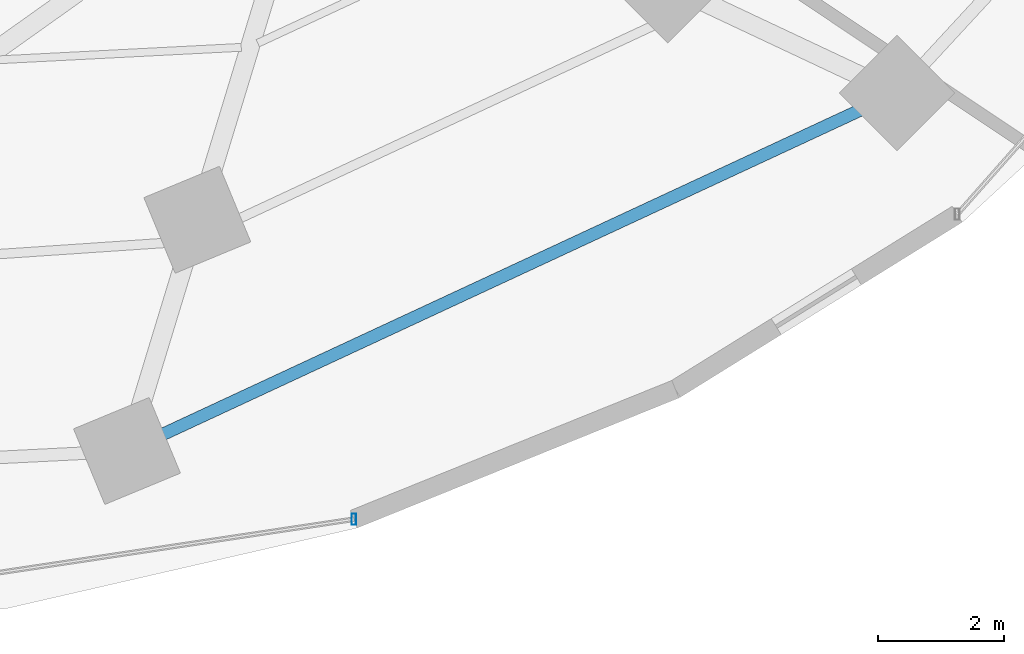
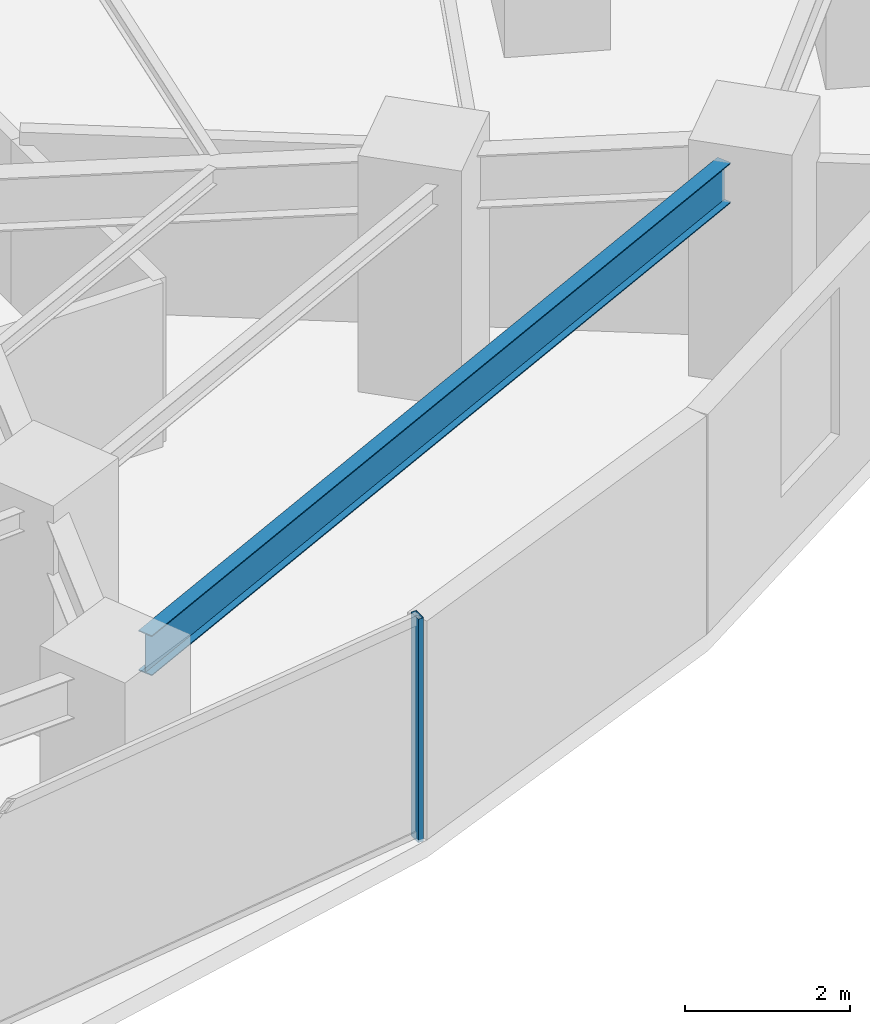
# One storey, part 11 of 33: 1 beam, 1 member, 1 element without a shape of its own.
"""IFC4 building model written with IfcOpenShell, lengths in metres."""

from ifc_helpers import new_model, si_unit, direction, frame, origin, origin_2d, place, context, subcontext, project, spatial, hollow_rectangle, i_section, extrude, material, material_profile, profile_set, type_object, element, aggregate, save


model = new_model("IFC4")

# Units and contexts
model_context = context("Model", 3, precision=1e-05, world=origin(), true_north=direction((0.0, 1.0)))
body_context = subcontext(model_context, "Body", "Model", "MODEL_VIEW")
ifc_project = project(units=[si_unit("LENGTHUNIT", "METRE"), si_unit("AREAUNIT", "SQUARE_METRE"), si_unit("VOLUMEUNIT", "CUBIC_METRE"), si_unit("PLANEANGLEUNIT", "RADIAN"), si_unit("MASSUNIT", "GRAM", prefix="KILO")], contexts=[model_context])

# Site, building, storey
site_placement = place(None, origin())
site = spatial("IfcSite", under=ifc_project, at=site_placement, CompositionType="ELEMENT")
building_placement = place(site_placement, origin())
building = spatial("IfcBuilding", under=site, at=building_placement, Name="Vorneva Point Tower", CompositionType="ELEMENT")
storey_placement = place(building_placement, frame((0.0, 0.0, 34.5)))
storey = spatial("IfcBuildingStorey", under=building, at=storey_placement, Name="L08", CompositionType="ELEMENT", Elevation=34.5)

# Beam
ifc_material_1 = material(Name="Steel S355", Category="steel")
ifc_material_profile_1 = material_profile(ifc_material_1, i_section(OverallWidth=0.198974609375, OverallDepth=0.595947265625, WebThickness=0.010009765625, FlangeThickness=0.014892578125, at=origin_2d()), Name="60B1")
ifc_profile_set_1 = profile_set([ifc_material_profile_1], Name="Steel S355")
beam_type = type_object("IfcBeamType", Name="BM-SPN-60B1", PredefinedType="SPANDREL", material=ifc_profile_set_1)
beam_placement = place(storey_placement, frame((46.27880859375, 6.702880859375, 2.94189453125), z_axis=(0.906776698196, 0.421611218551, 0.0), x_axis=(-0.421611218551, 0.906776698196, 0.0)))
element("IfcBeam", 1, at=beam_placement, inside=storey, type_object=beam_type, Name="L08 Perimeter Spandrel Ring Beam 14", PredefinedType="SPANDREL", context=body_context, shape_type="SweptSolid", body=[
    extrude(i_section(OverallWidth=0.198974609375, OverallDepth=0.595947265625, WebThickness=0.010009765625, FlangeThickness=0.014892578125, at=origin_2d()), origin(), (0.0, 0.0, 1.0), 12.223388671875),
])

# Curtain wall, member
ifc_material_2 = material(Name="Pale anodised aluminium", Category="aluminium")
curtain_wall_type = type_object("IfcCurtainWallType", Name="CW-HTL-SYS", PredefinedType="NOTDEFINED", material=ifc_material_2)
curtain_wall_placement = place(storey_placement, origin())
curtain_wall = element("IfcCurtainWall", 2, at=curtain_wall_placement, inside=storey, type_object=curtain_wall_type, Name="L08 Unitised Curtain Wall CW-L08-R04", PredefinedType="NOTDEFINED")
ifc_material_profile_2 = material_profile(ifc_material_2, hollow_rectangle(XDim=0.074951171875, YDim=0.179931640625, WallThickness=0.00390625, at=origin_2d()), Name="AL-MUL 180x75x4")
ifc_profile_set_2 = profile_set([ifc_material_profile_2], Name="Pale anodised aluminium")
member_type = type_object("IfcMemberType", Name="CW-MUL-180", PredefinedType="MULLION", material=ifc_profile_set_2)
member_placement = place(storey_placement, frame((49.308349609375, 5.351318359375, -0.0400390625), z_axis=(0.0, 0.0, 1.0), x_axis=(1.0, 0.0, 0.0)))
member = element("IfcMember", 3, at=member_placement, type_object=member_type, Name="CW-L08-R04 Mullion 04", PredefinedType="MULLION", context=body_context, shape_type="SweptSolid", body=[
    extrude(hollow_rectangle(XDim=0.074951171875, YDim=0.179931640625, WallThickness=0.00390625, at=origin_2d()), origin(), (0.0, 0.0, 1.0), 3.31005859375),
])
aggregate(curtain_wall, [member])

save(model, "model.ifc")
